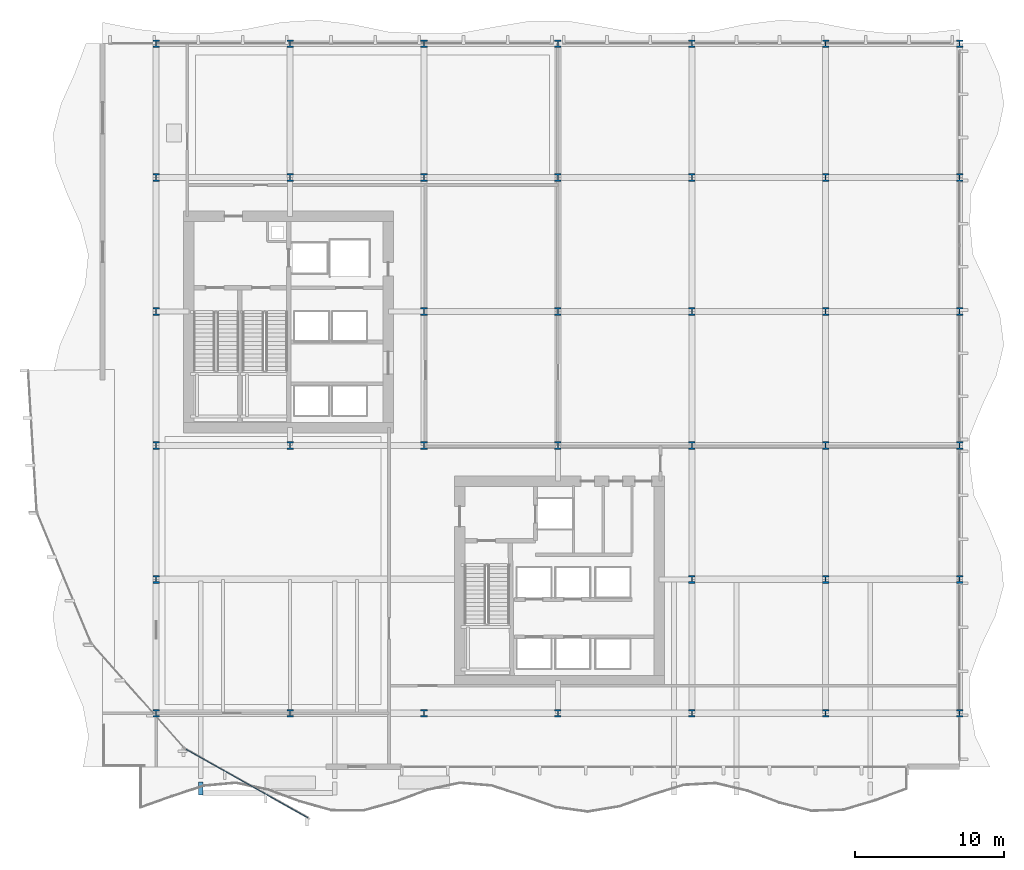
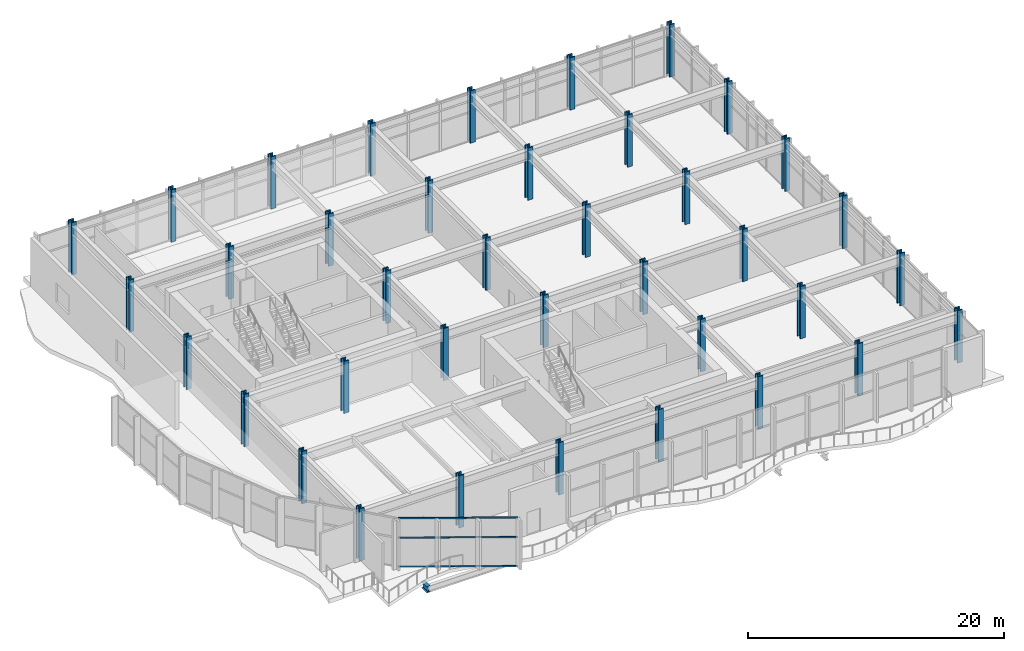
# One storey, part 1 of 28: 38 columns, 3 members, 1 beam, 1 element without a shape of its own.
"""IFC4 building model written with IfcOpenShell, lengths in metres."""

from ifc_helpers import new_model, si_unit, direction, frame, origin, origin_2d, place, context, subcontext, project, spatial, hollow_rectangle, i_section, extrude, material, layer, layer_set, material_profile, profile_set, type_object, element, aggregate, save


model = new_model("IFC4")

# Units and contexts
model_context = context("Model", 3, precision=1e-05, world=origin(), true_north=direction((0.0, 1.0)))
body_context = subcontext(model_context, "Body", "Model", "MODEL_VIEW")
ifc_project = project(units=[si_unit("LENGTHUNIT", "METRE"), si_unit("AREAUNIT", "SQUARE_METRE"), si_unit("VOLUMEUNIT", "CUBIC_METRE"), si_unit("PLANEANGLEUNIT", "RADIAN"), si_unit("MASSUNIT", "GRAM", prefix="KILO")], contexts=[model_context])

# Site, building, storey
site_placement = place(None, origin())
site = spatial("IfcSite", under=ifc_project, at=site_placement, CompositionType="ELEMENT")
building_placement = place(site_placement, origin())
building = spatial("IfcBuilding", under=site, at=building_placement, Name="Solvaryn Broadcast Tower", CompositionType="ELEMENT")
storey_placement = place(building_placement, frame((0.0, 0.0, 16.199951171875)))
storey = spatial("IfcBuildingStorey", under=building, at=storey_placement, Name="L03", CompositionType="ELEMENT", Elevation=16.199951171875)

# Columns
ifc_material_1 = material(Name="Steel ASTM A913 Grade 65", Category="steel")
ifc_material_profile_1 = material_profile(ifc_material_1, i_section(OverallWidth=0.44189453125, OverallDepth=0.531005859375, WebThickness=0.06591796875, FlangeThickness=0.105712890625, FilletRadius=0.014892578125, at=origin_2d()))
ifc_profile_set_1 = profile_set([ifc_material_profile_1], Name="Steel ASTM A913 Grade 65")
column_type_1 = type_object("IfcColumnType", Name="COL-C02E-W14X605", PredefinedType="COLUMN", material=ifc_profile_set_1)
for number, where, z_axis, x_axis, name in (
    (1, (9.0, 54.0, 0.0), (0.0, 0.0, 1.0), (1.0, 0.0, 0.0), "L03 Column (9.0, 54.0)"),
    (2, (18.0, 54.0, 0.0), (0.0, 0.0, 1.0), (1.0, 0.0, 0.0), "L03 Column (18.0, 54.0)"),
    (3, (27.0, 54.0, 0.0), (0.0, 0.0, 1.0), (1.0, 0.0, 0.0), "L03 Column (27.0, 54.0)"),
    (4, (36.0, 54.0, 0.0), (0.0, 0.0, 1.0), (1.0, 0.0, 0.0), "L03 Column (36.0, 54.0)"),
    (5, (45.0, 54.0, 0.0), (0.0, 0.0, 1.0), (1.0, 0.0, 0.0), "L03 Column (45.0, 54.0)"),
    (6, (54.0, 54.0, 0.0), (0.0, 0.0, 1.0), (1.0, 0.0, 0.0), "L03 Column (54.0, 54.0)"),
    (7, (63.0, 9.0, 0.0), (0.0, 0.0, 1.0), (1.0, 0.0, 0.0), "L03 Column (63.0, 9.0)"),
    (8, (63.0, 18.0, 0.0), (0.0, 0.0, 1.0), (1.0, 0.0, 0.0), "L03 Column (63.0, 18.0)"),
    (9, (63.0, 27.0, 0.0), (0.0, 0.0, 1.0), (1.0, 0.0, 0.0), "L03 Column (63.0, 27.0)"),
    (10, (63.0, 36.0, 0.0), (0.0, 0.0, 1.0), (1.0, 0.0, 0.0), "L03 Column (63.0, 36.0)"),
    (11, (63.0, 45.0, 0.0), (0.0, 0.0, 1.0), (1.0, 0.0, 0.0), "L03 Column (63.0, 45.0)"),
    (12, (63.0, 54.0, 0.0), (0.0, 0.0, 1.0), (1.0, 0.0, 0.0), "L03 Column (63.0, 54.0)"),
):
    element("IfcColumn", number, at=place(storey_placement, frame(where, z_axis=z_axis, x_axis=x_axis)), inside=storey, type_object=column_type_1, Name=name, PredefinedType="COLUMN", context=body_context, shape_type="SweptSolid", body=[
        extrude(i_section(OverallWidth=0.44189453125, OverallDepth=0.531005859375, WebThickness=0.06591796875, FlangeThickness=0.105712890625, FilletRadius=0.014892578125, at=origin_2d()), origin(), (0.0, 0.0, 1.0), 5.0),
    ])
ifc_material_2 = material(Name="Steel ASTM A913 Grade 65", Category="steel")
ifc_material_profile_2 = material_profile(ifc_material_2, i_section(OverallWidth=0.44189453125, OverallDepth=0.531005859375, WebThickness=0.06591796875, FlangeThickness=0.105712890625, FilletRadius=0.014892578125, at=origin_2d()))
ifc_profile_set_2 = profile_set([ifc_material_profile_2], Name="Steel ASTM A913 Grade 65")
column_type_2 = type_object("IfcColumnType", Name="COL-C02I-W14X605", PredefinedType="COLUMN", material=ifc_profile_set_2)
for number, where, z_axis, x_axis, name in (
    (13, (9.0, 9.0, 0.0), (0.0, 0.0, 1.0), (1.0, 0.0, 0.0), "L03 Column (9.0, 9.0)"),
    (14, (9.0, 18.0, 0.0), (0.0, 0.0, 1.0), (1.0, 0.0, 0.0), "L03 Column (9.0, 18.0)"),
    (15, (9.0, 27.0, 0.0), (0.0, 0.0, 1.0), (1.0, 0.0, 0.0), "L03 Column (9.0, 27.0)"),
    (16, (9.0, 36.0, 0.0), (0.0, 0.0, 1.0), (1.0, 0.0, 0.0), "L03 Column (9.0, 36.0)"),
    (17, (9.0, 45.0, 0.0), (0.0, 0.0, 1.0), (1.0, 0.0, 0.0), "L03 Column (9.0, 45.0)"),
    (18, (18.0, 9.0, 0.0), (0.0, 0.0, 1.0), (1.0, 0.0, 0.0), "L03 Column (18.0, 9.0)"),
    (19, (18.0, 27.0, 0.0), (0.0, 0.0, 1.0), (1.0, 0.0, 0.0), "L03 Column (18.0, 27.0)"),
    (20, (18.0, 45.0, 0.0), (0.0, 0.0, 1.0), (1.0, 0.0, 0.0), "L03 Column (18.0, 45.0)"),
    (21, (27.0, 9.0, 0.0), (0.0, 0.0, 1.0), (1.0, 0.0, 0.0), "L03 Column (27.0, 9.0)"),
    (22, (27.0, 27.0, 0.0), (0.0, 0.0, 1.0), (1.0, 0.0, 0.0), "L03 Column (27.0, 27.0)"),
    (23, (27.0, 36.0, 0.0), (0.0, 0.0, 1.0), (1.0, 0.0, 0.0), "L03 Column (27.0, 36.0)"),
    (24, (27.0, 45.0, 0.0), (0.0, 0.0, 1.0), (1.0, 0.0, 0.0), "L03 Column (27.0, 45.0)"),
    (25, (36.0, 9.0, 0.0), (0.0, 0.0, 1.0), (1.0, 0.0, 0.0), "L03 Column (36.0, 9.0)"),
    (26, (36.0, 27.0, 0.0), (0.0, 0.0, 1.0), (1.0, 0.0, 0.0), "L03 Column (36.0, 27.0)"),
    (27, (36.0, 36.0, 0.0), (0.0, 0.0, 1.0), (1.0, 0.0, 0.0), "L03 Column (36.0, 36.0)"),
    (28, (36.0, 45.0, 0.0), (0.0, 0.0, 1.0), (1.0, 0.0, 0.0), "L03 Column (36.0, 45.0)"),
    (29, (45.0, 9.0, 0.0), (0.0, 0.0, 1.0), (1.0, 0.0, 0.0), "L03 Column (45.0, 9.0)"),
    (30, (45.0, 18.0, 0.0), (0.0, 0.0, 1.0), (1.0, 0.0, 0.0), "L03 Column (45.0, 18.0)"),
    (31, (45.0, 27.0, 0.0), (0.0, 0.0, 1.0), (1.0, 0.0, 0.0), "L03 Column (45.0, 27.0)"),
    (32, (45.0, 36.0, 0.0), (0.0, 0.0, 1.0), (1.0, 0.0, 0.0), "L03 Column (45.0, 36.0)"),
    (33, (45.0, 45.0, 0.0), (0.0, 0.0, 1.0), (1.0, 0.0, 0.0), "L03 Column (45.0, 45.0)"),
    (34, (54.0, 9.0, 0.0), (0.0, 0.0, 1.0), (1.0, 0.0, 0.0), "L03 Column (54.0, 9.0)"),
    (35, (54.0, 18.0, 0.0), (0.0, 0.0, 1.0), (1.0, 0.0, 0.0), "L03 Column (54.0, 18.0)"),
    (36, (54.0, 27.0, 0.0), (0.0, 0.0, 1.0), (1.0, 0.0, 0.0), "L03 Column (54.0, 27.0)"),
    (37, (54.0, 36.0, 0.0), (0.0, 0.0, 1.0), (1.0, 0.0, 0.0), "L03 Column (54.0, 36.0)"),
    (38, (54.0, 45.0, 0.0), (0.0, 0.0, 1.0), (1.0, 0.0, 0.0), "L03 Column (54.0, 45.0)"),
):
    element("IfcColumn", number, at=place(storey_placement, frame(where, z_axis=z_axis, x_axis=x_axis)), inside=storey, type_object=column_type_2, Name=name, PredefinedType="COLUMN", context=body_context, shape_type="SweptSolid", body=[
        extrude(i_section(OverallWidth=0.44189453125, OverallDepth=0.531005859375, WebThickness=0.06591796875, FlangeThickness=0.105712890625, FilletRadius=0.014892578125, at=origin_2d()), origin(), (0.0, 0.0, 1.0), 5.0),
    ])

# Beam
ifc_material_3 = material(Name="Steel ASTM A992 Grade 50", Category="steel")
ifc_material_profile_3 = material_profile(ifc_material_3, i_section(OverallWidth=0.323974609375, OverallDepth=0.611083984375, WebThickness=0.0126953125, FlangeThickness=0.01904296875, FilletRadius=0.014892578125, at=origin_2d()))
ifc_profile_set_3 = profile_set([ifc_material_profile_3], Name="Steel ASTM A992 Grade 50")
beam_type = type_object("IfcBeamType", Name="BM-CANT-TER", PredefinedType="BEAM", material=ifc_profile_set_3)
beam_placement = place(storey_placement, frame((12.0, 4.375, -0.62548828125), z_axis=(0.0, -1.0, 0.0), x_axis=(1.0, 0.0, 0.0)))
element("IfcBeam", 39, at=beam_placement, inside=storey, type_object=beam_type, Name="L03 Terrace Cantilever Beam X12.0", PredefinedType="BEAM", context=body_context, shape_type="SweptSolid", body=[
    extrude(i_section(OverallWidth=0.323974609375, OverallDepth=0.611083984375, WebThickness=0.0126953125, FlangeThickness=0.01904296875, FilletRadius=0.014892578125, at=origin_2d()), origin(), (0.0, 0.0, 1.0), 0.875),
])

# Curtain wall, members
ifc_material_4 = material(Name="Aluminium and Terracotta Unitised Curtain Wall", Category="masonry")
ifc_layer = layer(ifc_material_4, 0.219970703125)
ifc_layer_set = layer_set([ifc_layer], Name="CW-SYS1-PODIUM")
curtain_wall_type = type_object("IfcCurtainWallType", Name="CW-SYS1-PODIUM", PredefinedType="NOTDEFINED", material=ifc_layer_set)
curtain_wall_placement = place(storey_placement, origin())
curtain_wall = element("IfcCurtainWall", 40, at=curtain_wall_placement, inside=storey, type_object=curtain_wall_type, Name="L03 Podium Curtain Wall DC4", PredefinedType="NOTDEFINED")
ifc_material_5 = material(Name="Anodised Aluminium 6063-T6", Category="aluminium")
ifc_material_profile_4 = material_profile(ifc_material_5, hollow_rectangle(XDim=0.06494140625, YDim=0.14990234375, WallThickness=0.00390625, InnerFilletRadius=0.00390625, OuterFilletRadius=0.008056640625, at=origin_2d()))
ifc_profile_set_4 = profile_set([ifc_material_profile_4], Name="Anodised Aluminium 6063-T6")
member_type = type_object("IfcMemberType", Name="CW-TRN-150", PredefinedType="USERDEFINED", material=ifc_profile_set_4)
member_1_placement = place(storey_placement, frame((11.00537109375, 6.57763671875, 0.030029296875), z_axis=(0.871766871983, -0.489920933328, 0.0), x_axis=(0.489920933328, 0.871766871983, 0.0)))
member_1 = element("IfcMember", 41, at=member_1_placement, type_object=member_type, Name="CWS1 transom 1.1", ObjectType="TRANSOM", PredefinedType="USERDEFINED", context=body_context, shape_type="SweptSolid", body=[
    extrude(hollow_rectangle(XDim=0.06494140625, YDim=0.14990234375, WallThickness=0.00390625, InnerFilletRadius=0.00390625, OuterFilletRadius=0.008056640625, at=origin_2d()), origin(), (0.0, 0.0, 1.0), 9.40185546875),
])
member_2_placement = place(storey_placement, frame((11.00537109375, 6.57763671875, 2.800048828125), z_axis=(0.871766871983, -0.489920933328, 0.0), x_axis=(0.489920933328, 0.871766871983, 0.0)))
member_2 = element("IfcMember", 42, at=member_2_placement, type_object=member_type, Name="CWS1 transom 1.2", ObjectType="TRANSOM", PredefinedType="USERDEFINED", context=body_context, shape_type="SweptSolid", body=[
    extrude(hollow_rectangle(XDim=0.06494140625, YDim=0.14990234375, WallThickness=0.00390625, InnerFilletRadius=0.00390625, OuterFilletRadius=0.008056640625, at=origin_2d()), origin(), (0.0, 0.0, 1.0), 9.40185546875),
])
member_3_placement = place(storey_placement, frame((11.00537109375, 6.57763671875, 4.650146484375), z_axis=(0.871766871983, -0.489920933328, 0.0), x_axis=(0.489920933328, 0.871766871983, 0.0)))
member_3 = element("IfcMember", 43, at=member_3_placement, type_object=member_type, Name="CWS1 transom 1.3", ObjectType="TRANSOM", PredefinedType="USERDEFINED", context=body_context, shape_type="SweptSolid", body=[
    extrude(hollow_rectangle(XDim=0.06494140625, YDim=0.14990234375, WallThickness=0.00390625, InnerFilletRadius=0.00390625, OuterFilletRadius=0.008056640625, at=origin_2d()), origin(), (0.0, 0.0, 1.0), 9.40185546875),
])
aggregate(curtain_wall, [member_1, member_2, member_3])

save(model, "model.ifc")
